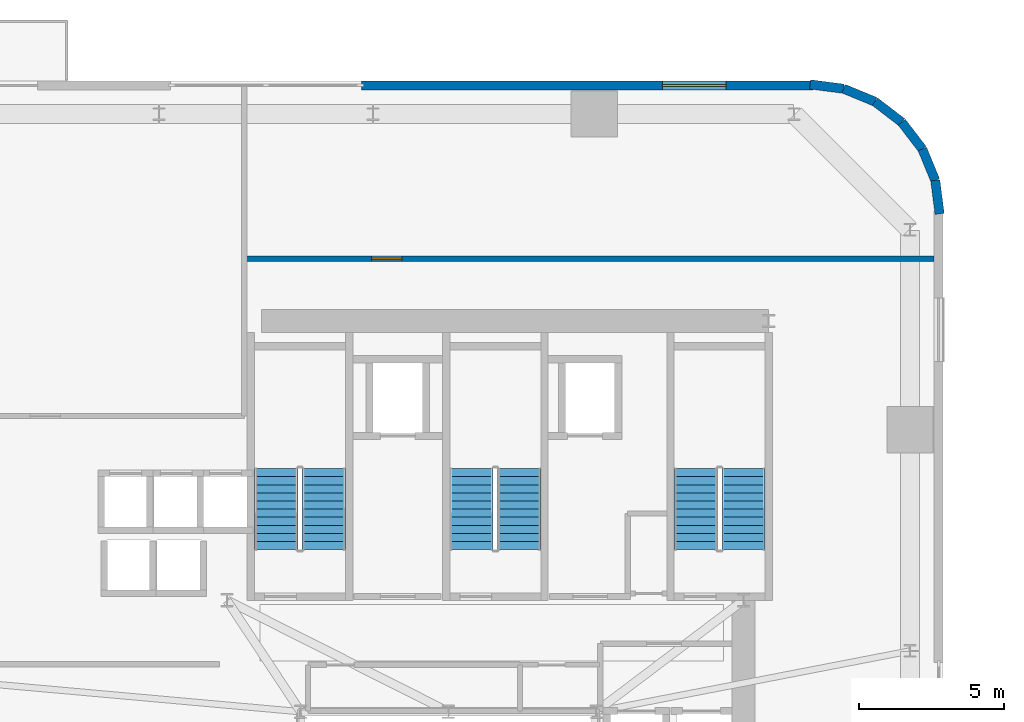
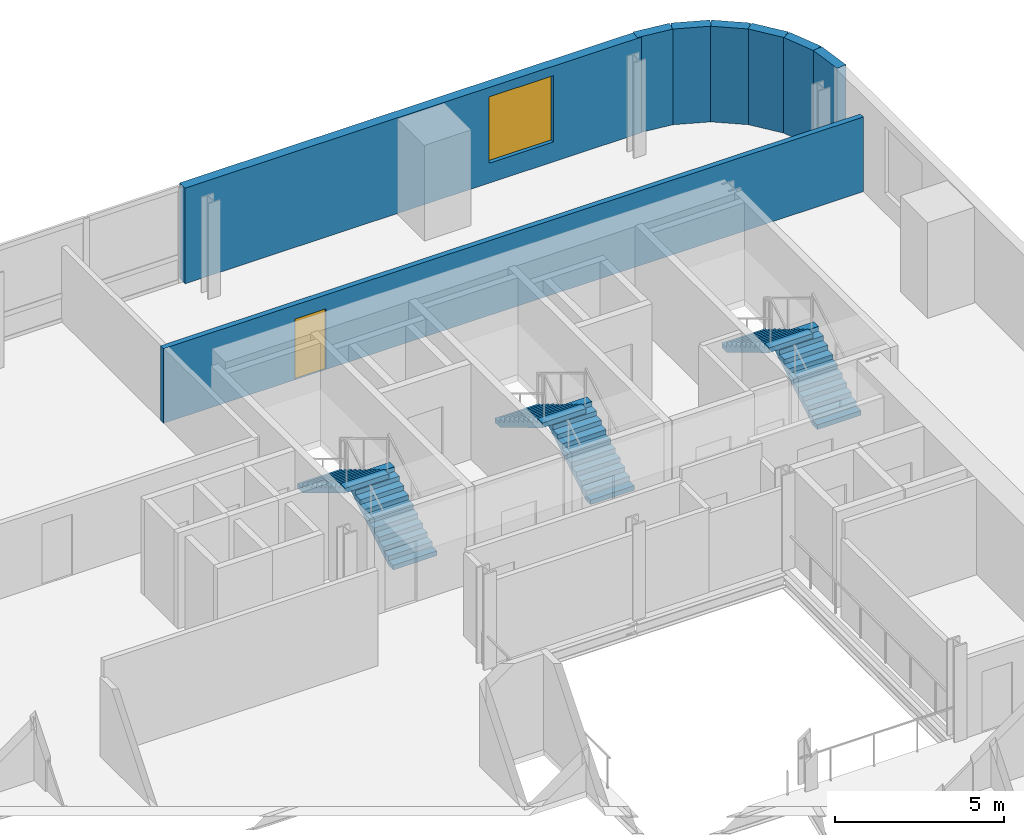
# One storey, part 9 of 14: 8 walls, 6 stair flights, 1 door, 1 window, 2 openings, 3 elements without a shape of their own.
"""IFC4 building model written with IfcOpenShell, lengths in metres."""

from ifc_helpers import new_model, si_unit, direction, frame, frame_2d, origin, place, context, subcontext, project, spatial, polyline, rectangle, outline, extrude, source, transform, mapped, material, layer, layer_set, type_object, element, fill, aggregate, save


model = new_model("IFC4")

# Units and contexts
model_context = context("Model", 3, precision=1e-05, world=origin(), true_north=direction((0.0, 1.0)))
body_context = subcontext(model_context, "Body", "Model", "MODEL_VIEW")
ifc_project = project(units=[si_unit("LENGTHUNIT", "METRE"), si_unit("AREAUNIT", "SQUARE_METRE"), si_unit("VOLUMEUNIT", "CUBIC_METRE"), si_unit("PLANEANGLEUNIT", "RADIAN"), si_unit("MASSUNIT", "GRAM", prefix="KILO")], contexts=[model_context])

# Site, building, storey
site_placement = place(None, origin())
site = spatial("IfcSite", under=ifc_project, at=site_placement, CompositionType="ELEMENT")
building_placement = place(site_placement, origin())
building = spatial("IfcBuilding", under=site, at=building_placement, Name="Vardaveli Station Tower", CompositionType="ELEMENT")
storey_placement = place(building_placement, frame((0.0, 0.0, 152.0)))
storey = spatial("IfcBuildingStorey", under=building, at=storey_placement, Name="L39", CompositionType="ELEMENT", Elevation=152.0)

# Wall, opening, window
ifc_material_1 = material(Name="Precast concrete C45/55", Category="concrete")
ifc_layer_1 = layer(ifc_material_1, 0.320068359375, Name="Precast concrete C45/55")
ifc_layer_set_1 = layer_set([ifc_layer_1], Name="Precast concrete C45/55")
wall_type_1 = type_object("IfcWallType", Name="WAL-EXT-STONE-320", PredefinedType="SOLIDWALL", material=ifc_layer_set_1)
shared_shape_1 = source(origin(), body_context, "Body", "SweptSolid", [
    extrude(rectangle(XDim=15.599853515625, YDim=0.320068359375, at=frame_2d((7.7998046875, 0.0))), origin(), (0.0, 0.0, 1.0), 3.4599609375),
])
wall_1_placement = place(storey_placement, frame((48.89990234375, 48.43994140625, 0.0), z_axis=(0.0, 0.0, 1.0), x_axis=(-1.0, 0.0, 0.0)))
wall_1 = element("IfcWall", 1, at=wall_1_placement, inside=storey, type_object=wall_type_1, Name="EW-L39-N1", PredefinedType="SOLIDWALL", context=body_context, shape_type="MappedRepresentation", body=[
    mapped(shared_shape_1, transform((0.0, 0.0, 0.0), scale=1.0)),
])
shared_shape_2 = source(origin(), body_context, "Body", "SweptSolid", [
    extrude(rectangle(XDim=2.199951171875, YDim=2.39990234375, at=frame_2d((1.10009765625, 1.199951171875))), frame((0.0, 0.169921875, 0.0), z_axis=(0.0, -1.0, 0.0), x_axis=(1.0, 0.0, 0.0)), (0.0, 0.0, 1.0), 0.340087890625),
])
opening_1_placement = place(wall_1_placement, frame((3.0048828125, 0.0, 0.719970703125)))
opening_1 = element("IfcOpeningElement", 2, at=opening_1_placement, cuts=wall_1, Name="Opening W-03", PredefinedType="OPENING", context=body_context, shape_type="MappedRepresentation", body=[
    mapped(shared_shape_2, transform((0.0, 0.0, 0.0), scale=1.0)),
])
ifc_material_2 = material(Name="Low-E solar-control glass", Category="glass")
window_type = type_object("IfcWindowType", Name="WIN-LOG-2200x2400", PartitioningType="SINGLE_PANEL", PredefinedType="WINDOW", material=ifc_material_2)
shared_shape_3 = source(origin(), body_context, "Body", "SweptSolid", [
    extrude(rectangle(XDim=2.199951171875, YDim=2.39990234375, at=frame_2d((1.10009765625, 1.199951171875))), frame((0.0, 0.030029296875, 0.0), z_axis=(0.0, -1.0, 0.0), x_axis=(1.0, 0.0, 0.0)), (0.0, 0.0, 1.0), 0.06005859375),
])
window_placement = place(opening_1_placement, origin())
window = element("IfcWindow", 3, at=window_placement, inside=storey, type_object=window_type, Name="WN-L39-N1", OverallHeight=2.39990234375, OverallWidth=2.199951171875, PartitioningType="SINGLE_PANEL", PredefinedType="WINDOW", context=body_context, shape_type="MappedRepresentation", body=[
    mapped(shared_shape_3, transform((0.0, 0.0, 0.0), scale=1.0)),
])
fill(opening_1, window)

# Walls
shared_shape_4 = source(origin(), body_context, "Body", "SweptSolid", [
    extrude(rectangle(XDim=1.1689453125, YDim=0.320068359375, at=frame_2d((0.58447265625, 0.0))), origin(), (0.0, 0.0, 1.0), 3.4599609375),
])
wall_2_placement = place(storey_placement, frame((52.679931640625, 46.2412109375, 0.0), z_axis=(0.0, 0.0, 1.0), x_axis=(-0.608387696831, 0.793639975269, 0.0)))
element("IfcWall", 4, at=wall_2_placement, inside=storey, type_object=wall_type_1, Name="EW-L39-CR3-3", PredefinedType="SOLIDWALL", context=body_context, shape_type="MappedRepresentation", body=[
    mapped(shared_shape_4, transform((0.0, 0.0, 0.0), scale=1.0)),
])
shared_shape_5 = source(origin(), body_context, "Body", "SweptSolid", [
    extrude(rectangle(XDim=1.168701171875, YDim=0.320068359375, at=frame_2d((0.58447265625, 0.0))), origin(), (0.0, 0.0, 1.0), 3.4599609375),
])
wall_3_placement = place(storey_placement, frame((51.96875, 47.1689453125, 0.0), z_axis=(0.0, 0.0, 1.0), x_axis=(-0.793663520347, 0.608356981114, 0.0)))
element("IfcWall", 5, at=wall_3_placement, inside=storey, type_object=wall_type_1, Name="EW-L39-CR3-4", PredefinedType="SOLIDWALL", context=body_context, shape_type="MappedRepresentation", body=[
    mapped(shared_shape_5, transform((0.0, 0.0, 0.0), scale=1.0)),
])
shared_shape_6 = source(origin(), body_context, "Body", "SweptSolid", [
    extrude(rectangle(XDim=1.17041015625, YDim=0.320068359375, at=frame_2d((0.585205078125, 0.0))), origin(), (0.0, 0.0, 1.0), 3.4599609375),
])
for number, where, z_axis, x_axis, name in (
    (6, (53.275634765625, 43.99951171875, 0.0), (0.0, 0.0, 1.0), (-0.128295670475, 0.991735963317, 0.0), "EW-L39-CR3-1"),
    (7, (49.960205078125, 48.325439453125, 0.0), (0.0, 0.0, 1.0), (-0.991735963317, 0.128295670475, 0.0), "EW-L39-CR3-6"),
):
    element("IfcWall", number, at=place(storey_placement, frame(where, z_axis=z_axis, x_axis=x_axis)), inside=storey, type_object=wall_type_1, Name=name, PredefinedType="SOLIDWALL", context=body_context, shape_type="MappedRepresentation", body=[
        mapped(shared_shape_6, transform((0.0, 0.0, 0.0), scale=1.0)),
    ])
shared_shape_7 = source(origin(), body_context, "Body", "SweptSolid", [
    extrude(rectangle(XDim=1.169189453125, YDim=0.320068359375, at=frame_2d((0.58447265625, 0.0))), origin(), (0.0, 0.0, 1.0), 3.4599609375),
])
for number, where, z_axis, x_axis, name in (
    (8, (53.12548828125, 45.16015625, 0.0), (0.0, 0.0, 1.0), (-0.381054331552, 0.924552646638, 0.0), "EW-L39-CR3-2"),
    (9, (51.041259765625, 47.8798828125, 0.0), (0.0, 0.0, 1.0), (-0.924552646638, 0.381054331552, 0.0), "EW-L39-CR3-5"),
):
    element("IfcWall", number, at=place(storey_placement, frame(where, z_axis=z_axis, x_axis=x_axis)), inside=storey, type_object=wall_type_1, Name=name, PredefinedType="SOLIDWALL", context=body_context, shape_type="MappedRepresentation", body=[
        mapped(shared_shape_7, transform((0.0, 0.0, 0.0), scale=1.0)),
    ])

# Wall, opening, door
ifc_material_3 = material(Name="Fire-rated gypsum stud partition")
ifc_layer_2 = layer(ifc_material_3, 0.179931640625, Name="Fire-rated gypsum stud partition")
ifc_layer_set_2 = layer_set([ifc_layer_2], Name="Fire-rated gypsum stud partition")
wall_type_2 = type_object("IfcWallType", Name="WAL-CORR-180", PredefinedType="PARTITIONING", material=ifc_layer_set_2)
shared_shape_8 = source(origin(), body_context, "Body", "SweptSolid", [
    extrude(rectangle(XDim=23.927978515625, YDim=0.179931640625, at=frame_2d((11.9638671875, 0.0))), origin(), (0.0, 0.0, 1.0), 2.701904296875),
])
wall_4_placement = place(storey_placement, frame((29.14990234375, 42.449951171875, 0.0), z_axis=(0.0, 0.0, 1.0), x_axis=(1.0, 0.0, 0.0)))
wall_4 = element("IfcWall", 10, at=wall_4_placement, inside=storey, type_object=wall_type_2, Name="W-L39-NPS", PredefinedType="PARTITIONING", context=body_context, shape_type="MappedRepresentation", body=[
    mapped(shared_shape_8, transform((0.0, 0.0, 0.0), scale=1.0)),
])
shared_shape_9 = source(origin(), body_context, "Body", "SweptSolid", [
    extrude(rectangle(XDim=1.050048828125, YDim=2.199951171875, at=frame_2d((0.52490234375, 1.10009765625))), frame((0.0, 0.10009765625, 0.0), z_axis=(0.0, -1.0, 0.0), x_axis=(1.0, 0.0, 0.0)), (0.0, 0.0, 1.0), 0.199951171875),
])
opening_2_placement = place(wall_4_placement, frame((4.5, 0.0, 0.0)))
opening_2 = element("IfcOpeningElement", 11, at=opening_2_placement, cuts=wall_4, Name="Opening D-05", PredefinedType="OPENING", context=body_context, shape_type="MappedRepresentation", body=[
    mapped(shared_shape_9, transform((0.0, 0.0, 0.0), scale=1.0)),
])
ifc_material_4 = material(Name="Walnut veneer acoustic fire door")
door_type = type_object("IfcDoorType", Name="DR-SUITE-1050x2200", OperationType="NOTDEFINED", PredefinedType="DOOR", material=ifc_material_4)
shared_shape_10 = source(origin(), body_context, "Body", "SweptSolid", [
    extrude(rectangle(XDim=1.050048828125, YDim=2.199951171875, at=frame_2d((0.52490234375, 1.10009765625))), frame((0.0, 0.02490234375, 0.0), z_axis=(0.0, -1.0, 0.0), x_axis=(1.0, 0.0, 0.0)), (0.0, 0.0, 1.0), 0.050048828125),
])
door_placement = place(opening_2_placement, origin())
door = element("IfcDoor", 12, at=door_placement, inside=storey, type_object=door_type, Name="D-L39-NP1", OperationType="SINGLE_SWING_RIGHT", OverallHeight=2.199951171875, OverallWidth=1.050048828125, PredefinedType="DOOR", context=body_context, shape_type="MappedRepresentation", body=[
    mapped(shared_shape_10, transform((0.0, 0.0, 0.0), scale=1.0)),
])
fill(opening_2, door)

# Stair, stair flights
ifc_material_5 = material(Name="Concrete C40/50", Category="concrete")
stair_type = type_object("IfcStairType", Name="STR-CORE-1500", PredefinedType="HALF_TURN_STAIR", material=ifc_material_5)
stair_1_placement = place(storey_placement, origin())
stair_1 = element("IfcStair", 13, at=stair_1_placement, inside=storey, type_object=stair_type, Name="L39 ST-1", PredefinedType="HALF_TURN_STAIR")
stair_flight_type = type_object("IfcStairFlightType", Name="SFL-CORE-1500", PredefinedType="STRAIGHT", material=ifc_material_5)
shared_shape_11 = source(origin(), body_context, "Body", "SweptSolid", [
    extrude(outline(polyline([(0.0, 0.0), (0.0, 0.168212890625), (0.280029296875, 0.168212890625), (0.280029296875, 0.33642578125), (0.56005859375, 0.33642578125), (0.56005859375, 0.504638671875), (0.840087890625, 0.504638671875), (0.840087890625, 0.672607421875), (1.1201171875, 0.672607421875), (1.1201171875, 0.8408203125), (1.39990234375, 0.8408203125), (1.39990234375, 1.009033203125), (1.679931640625, 1.009033203125), (1.679931640625, 1.17724609375), (1.9599609375, 1.17724609375), (1.9599609375, 1.345458984375), (2.239990234375, 1.345458984375), (2.239990234375, 1.513671875), (2.52001953125, 1.513671875), (2.52001953125, 1.681884765625), (2.800048828125, 1.681884765625), (2.800048828125, 1.85009765625), (2.800048828125, 1.5068359375), (0.291015625, 0.0), (0.0, 0.0)])), frame((0.0, 0.75, 0.0), z_axis=(0.0, -1.0, 0.0), x_axis=(1.0, 0.0, 0.0)), (0.0, 0.0, 1.0), 1.5),
])
stair_flight_1_placement = place(storey_placement, frame((32.0, 32.39990234375, 0.0), z_axis=(0.0, 0.0, 1.0), x_axis=(0.0, 1.0, 0.0)))
stair_flight_1 = element("IfcStairFlight", 14, at=stair_flight_1_placement, type_object=stair_flight_type, Name="ST-1 flight 1", NumberOfRisers=11, NumberOfTreads=10, PredefinedType="STRAIGHT", RiserHeight=0.168181818, TreadLength=0.28, context=body_context, shape_type="MappedRepresentation", body=[
    mapped(shared_shape_11, transform((0.0, 0.0, 0.0), scale=1.0)),
])
stair_flight_2_placement = place(storey_placement, frame((30.35009765625, 35.199951171875, 1.85009765625), z_axis=(0.0, 0.0, 1.0), x_axis=(0.0, -1.0, 0.0)))
stair_flight_2 = element("IfcStairFlight", 15, at=stair_flight_2_placement, type_object=stair_flight_type, Name="ST-1 flight 2", NumberOfRisers=11, NumberOfTreads=10, PredefinedType="STRAIGHT", RiserHeight=0.168181818, TreadLength=0.28, context=body_context, shape_type="MappedRepresentation", body=[
    mapped(shared_shape_11, transform((0.0, 0.0, 0.0), scale=1.0)),
])
aggregate(stair_1, [stair_flight_1, stair_flight_2])

stair_2_placement = place(storey_placement, origin())
stair_2 = element("IfcStair", 16, at=stair_2_placement, inside=storey, type_object=stair_type, Name="L39 ST-2", PredefinedType="HALF_TURN_STAIR")
stair_flight_3_placement = place(storey_placement, frame((38.75, 32.39990234375, 0.0), z_axis=(0.0, 0.0, 1.0), x_axis=(0.0, 1.0, 0.0)))
stair_flight_3 = element("IfcStairFlight", 17, at=stair_flight_3_placement, type_object=stair_flight_type, Name="ST-2 flight 1", NumberOfRisers=11, NumberOfTreads=10, PredefinedType="STRAIGHT", RiserHeight=0.168181818, TreadLength=0.28, context=body_context, shape_type="MappedRepresentation", body=[
    mapped(shared_shape_11, transform((0.0, 0.0, 0.0), scale=1.0)),
])
stair_flight_4_placement = place(storey_placement, frame((37.10009765625, 35.199951171875, 1.85009765625), z_axis=(0.0, 0.0, 1.0), x_axis=(0.0, -1.0, 0.0)))
stair_flight_4 = element("IfcStairFlight", 18, at=stair_flight_4_placement, type_object=stair_flight_type, Name="ST-2 flight 2", NumberOfRisers=11, NumberOfTreads=10, PredefinedType="STRAIGHT", RiserHeight=0.168181818, TreadLength=0.28, context=body_context, shape_type="MappedRepresentation", body=[
    mapped(shared_shape_11, transform((0.0, 0.0, 0.0), scale=1.0)),
])
aggregate(stair_2, [stair_flight_3, stair_flight_4])

stair_3_placement = place(storey_placement, origin())
stair_3 = element("IfcStair", 19, at=stair_3_placement, inside=storey, type_object=stair_type, Name="L39 ST-3", PredefinedType="HALF_TURN_STAIR")
stair_flight_5_placement = place(storey_placement, frame((46.5, 32.39990234375, 0.0), z_axis=(0.0, 0.0, 1.0), x_axis=(0.0, 1.0, 0.0)))
stair_flight_5 = element("IfcStairFlight", 20, at=stair_flight_5_placement, type_object=stair_flight_type, Name="ST-3 flight 1", NumberOfRisers=11, NumberOfTreads=10, PredefinedType="STRAIGHT", RiserHeight=0.168181818, TreadLength=0.28, context=body_context, shape_type="MappedRepresentation", body=[
    mapped(shared_shape_11, transform((0.0, 0.0, 0.0), scale=1.0)),
])
stair_flight_6_placement = place(storey_placement, frame((44.85009765625, 35.199951171875, 1.85009765625), z_axis=(0.0, 0.0, 1.0), x_axis=(0.0, -1.0, 0.0)))
stair_flight_6 = element("IfcStairFlight", 21, at=stair_flight_6_placement, type_object=stair_flight_type, Name="ST-3 flight 2", NumberOfRisers=11, NumberOfTreads=10, PredefinedType="STRAIGHT", RiserHeight=0.168181818, TreadLength=0.28, context=body_context, shape_type="MappedRepresentation", body=[
    mapped(shared_shape_11, transform((0.0, 0.0, 0.0), scale=1.0)),
])
aggregate(stair_3, [stair_flight_5, stair_flight_6])

save(model, "model.ifc")
